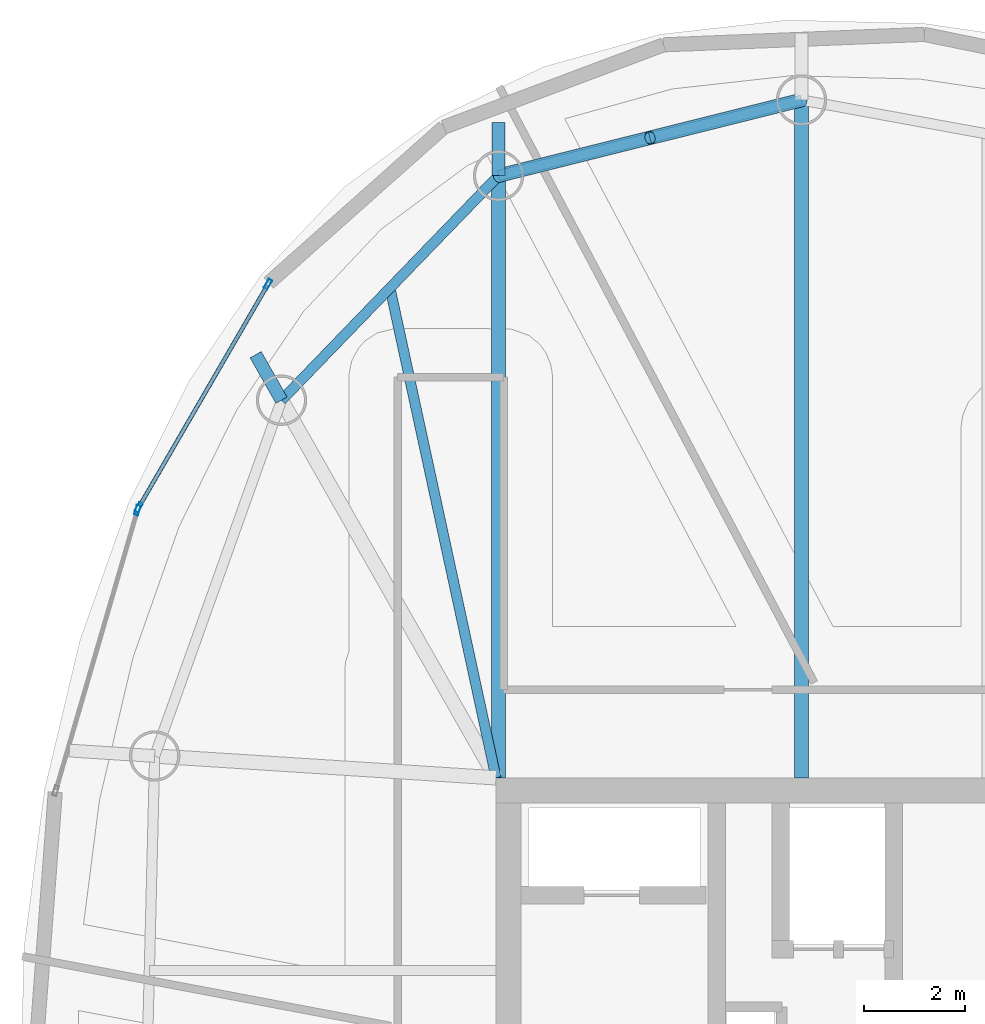
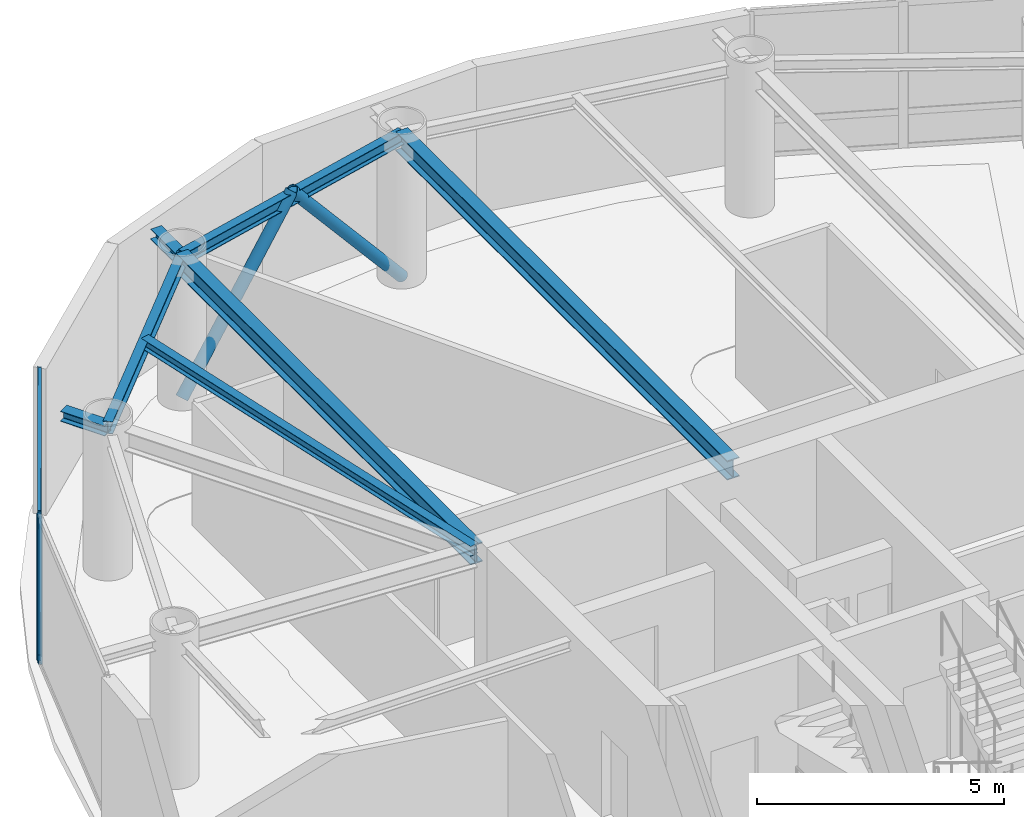
# One storey, part 10 of 20: 7 beams, 7 members, 2 elements without a shape of their own.
"""IFC4 building model written with IfcOpenShell, lengths in metres."""

from ifc_helpers import new_model, si_unit, direction, frame, origin, origin_2d, place, context, subcontext, project, spatial, hollow_rectangle, hollow_circle, i_section, extrude, material, layer, layer_set, material_profile, profile_set, type_object, element, aggregate, save


model = new_model("IFC4")

# Units and contexts
model_context = context("Model", 3, precision=1e-05, world=origin(), true_north=direction((0.0, 1.0)))
body_context = subcontext(model_context, "Body", "Model", "MODEL_VIEW")
ifc_project = project(units=[si_unit("LENGTHUNIT", "METRE"), si_unit("AREAUNIT", "SQUARE_METRE"), si_unit("VOLUMEUNIT", "CUBIC_METRE"), si_unit("PLANEANGLEUNIT", "RADIAN"), si_unit("MASSUNIT", "GRAM", prefix="KILO")], contexts=[model_context])

# Site, building, storey
site_placement = place(None, origin())
site = spatial("IfcSite", under=ifc_project, at=site_placement, CompositionType="ELEMENT")
building_placement = place(site_placement, origin())
building = spatial("IfcBuilding", under=site, at=building_placement, Name="Bramvorn Convention Spire", CompositionType="ELEMENT")
storey_placement = place(building_placement, frame((0.0, 0.0, 269.0)))
storey = spatial("IfcBuildingStorey", under=building, at=storey_placement, Name="L68", CompositionType="ELEMENT", Elevation=269.0)

# Beams
ifc_material_1 = material(Name="Steel CSA G40.21 Grade 350 (350W)", Category="steel")
ifc_material_profile_1 = material_profile(ifc_material_1, i_section(OverallWidth=0.201904296875, OverallDepth=0.2470703125, WebThickness=0.00732421875, FlangeThickness=0.010986328125, FilletRadius=0.011962890625, at=origin_2d()))
ifc_profile_set_1 = profile_set([ifc_material_profile_1], Name="Steel CSA G40.21 Grade 350 (350W) - W250X49")
beam_type_1 = type_object("IfcBeamType", Name="BM-W250X49", PredefinedType="JOIST", material=ifc_profile_set_1)
beam_1_placement = place(storey_placement, frame((26.75, 33.449951171875, 3.50146484375), z_axis=(-0.211461445939, 0.977386339623, 0.0), x_axis=(-0.977386339623, -0.211461445939, 0.0)))
element("IfcBeam", 1, at=beam_1_placement, inside=storey, type_object=beam_type_1, Name="L68 composite floor joist 09", PredefinedType="JOIST", context=body_context, shape_type="SweptSolid", body=[
    extrude(i_section(OverallWidth=0.201904296875, OverallDepth=0.2470703125, WebThickness=0.00732421875, FlangeThickness=0.010986328125, FilletRadius=0.011962890625, at=origin_2d()), origin(), (0.0, 0.0, 1.0), 9.9462890625),
])
ifc_material_profile_2 = material_profile(ifc_material_1, i_section(OverallWidth=0.25390625, OverallDepth=0.2529296875, WebThickness=0.008544921875, FlangeThickness=0.01416015625, FilletRadius=0.011962890625, at=origin_2d()))
ifc_profile_set_2 = profile_set([ifc_material_profile_2], Name="Steel CSA G40.21 Grade 350 (350W) - W250X73")
beam_type_2 = type_object("IfcBeamType", Name="BM-W250X73", PredefinedType="BEAM", material=ifc_profile_set_2)
beam_2_placement = place(storey_placement, frame((26.800048828125, 45.39892578125, 3.45849609375), z_axis=(0.0, 1.0, 0.0), x_axis=(-1.0, 0.0, 0.0)))
element("IfcBeam", 2, at=beam_2_placement, inside=storey, type_object=beam_type_2, Name="L68 slab-edge cantilever tip beam MC09", PredefinedType="BEAM", context=body_context, shape_type="SweptSolid", body=[
    extrude(i_section(OverallWidth=0.25390625, OverallDepth=0.2529296875, WebThickness=0.008544921875, FlangeThickness=0.01416015625, FilletRadius=0.011962890625, at=origin_2d()), origin(), (0.0, 0.0, 1.0), 1.051513671875),
])
beam_3_placement = place(storey_placement, frame((22.49365234375, 40.94384765625, 3.45849609375), z_axis=(-0.493860046615, 0.869541404625, 0.0), x_axis=(-0.869541404625, -0.493860046615, 0.0)))
element("IfcBeam", 3, at=beam_3_placement, inside=storey, type_object=beam_type_2, Name="L68 slab-edge cantilever tip beam MC10", PredefinedType="BEAM", context=body_context, shape_type="SweptSolid", body=[
    extrude(i_section(OverallWidth=0.25390625, OverallDepth=0.2529296875, WebThickness=0.008544921875, FlangeThickness=0.01416015625, FilletRadius=0.011962890625, at=origin_2d()), origin(), (0.0, 0.0, 1.0), 1.0390625),
])
ifc_material_profile_3 = material_profile(ifc_material_1, i_section(OverallWidth=0.202880859375, OverallDepth=0.302978515625, WebThickness=0.007568359375, FlangeThickness=0.01318359375, FilletRadius=0.013916015625, at=origin_2d()))
ifc_profile_set_3 = profile_set([ifc_material_profile_3], Name="Steel CSA G40.21 Grade 350 (350W) - W310X60")
beam_type_3 = type_object("IfcBeamType", Name="BM-W310X60", PredefinedType="JOIST", material=ifc_profile_set_3)
for number, where, z_axis, x_axis, name in (
    (4, (32.8115234375, 46.90087890625, 3.473388671875), (-0.970177255997, -0.24239655927, 0.0), (0.24239655927, -0.970177255997, 0.0), "L68 mega-column ring beam 08"),
    (5, (26.800048828125, 45.39892578125, 3.473388671875), (-0.695007159797, -0.719002814898, 0.0), (0.719002814898, -0.695007159797, 0.0), "L68 mega-column ring beam 09"),
):
    element("IfcBeam", number, at=place(storey_placement, frame(where, z_axis=z_axis, x_axis=x_axis)), inside=storey, type_object=beam_type_3, Name=name, PredefinedType="JOIST", context=body_context, shape_type="SweptSolid", body=[
        extrude(i_section(OverallWidth=0.202880859375, OverallDepth=0.302978515625, WebThickness=0.007568359375, FlangeThickness=0.01318359375, FilletRadius=0.013916015625, at=origin_2d()), origin(), (0.0, 0.0, 1.0), 6.1962890625),
    ])
ifc_material_profile_4 = material_profile(ifc_material_1, i_section(OverallWidth=0.283935546875, OverallDepth=0.47607421875, WebThickness=0.014892578125, FlangeThickness=0.02392578125, FilletRadius=0.01806640625, at=origin_2d()))
ifc_profile_set_4 = profile_set([ifc_material_profile_4], Name="Steel CSA G40.21 Grade 350 (350W) - W460X158")
beam_type_4 = type_object("IfcBeamType", Name="BM-W460X158", PredefinedType="SPANDREL", material=ifc_profile_set_4)
beam_4_placement = place(storey_placement, frame((32.8115234375, 33.449951171875, 3.386962890625), z_axis=(0.0, 1.0, 0.0), x_axis=(-1.0, 0.0, 0.0)))
element("IfcBeam", 6, at=beam_4_placement, inside=storey, type_object=beam_type_4, Name="L68 radial floor girder MC08", PredefinedType="SPANDREL", context=body_context, shape_type="SweptSolid", body=[
    extrude(i_section(OverallWidth=0.283935546875, OverallDepth=0.47607421875, WebThickness=0.014892578125, FlangeThickness=0.02392578125, FilletRadius=0.01806640625, at=origin_2d()), origin(), (0.0, 0.0, 1.0), 13.450927734375),
])
beam_5_placement = place(storey_placement, frame((26.800048828125, 33.449951171875, 3.386962890625), z_axis=(0.0, 1.0, 0.0), x_axis=(-1.0, 0.0, 0.0)))
element("IfcBeam", 7, at=beam_5_placement, inside=storey, type_object=beam_type_4, Name="L68 radial floor girder MC09", PredefinedType="SPANDREL", context=body_context, shape_type="SweptSolid", body=[
    extrude(i_section(OverallWidth=0.283935546875, OverallDepth=0.47607421875, WebThickness=0.014892578125, FlangeThickness=0.02392578125, FilletRadius=0.01806640625, at=origin_2d()), origin(), (0.0, 0.0, 1.0), 11.948974609375),
])

# Curtain wall, members
ifc_material_2 = material(Name="Anodised Bronze Unitised Curtain Wall", Category="aluminium")
ifc_layer = layer(ifc_material_2, 0.179931640625)
ifc_layer_set = layer_set([ifc_layer], Name="Anodised Bronze Unitised Curtain Wall - CW-OFF-FRIT")
curtain_wall_type = type_object("IfcCurtainWallType", Name="CW-OFF-FRIT", PredefinedType="USERDEFINED", material=ifc_layer_set)
curtain_wall_1_placement = place(storey_placement, origin())
curtain_wall_1 = element("IfcCurtainWall", 8, at=curtain_wall_1_placement, inside=storey, type_object=curtain_wall_type, Name="L68 fritted glass curtain wall 14", ObjectType="UNITISED CURTAIN WALL", PredefinedType="USERDEFINED")
ifc_material_3 = material(Name="Anodised Bronze Aluminium 6063-T6", Category="aluminium")
ifc_material_profile_5 = material_profile(ifc_material_3, hollow_rectangle(XDim=0.080078125, YDim=0.199951171875, WallThickness=0.00390625, InnerFilletRadius=0.0009765625, OuterFilletRadius=0.00390625, at=origin_2d()))
ifc_profile_set_5 = profile_set([ifc_material_profile_5], Name="Anodised Bronze Aluminium 6063-T6 - CWM80X200")
member_type_1 = type_object("IfcMemberType", Name="CW-MUL-180", PredefinedType="MULLION", material=ifc_profile_set_5)
member_1_placement = place(storey_placement, frame((19.65966796875, 38.81640625, 0.0), z_axis=(0.0, 0.0, 1.0), x_axis=(-0.86520191582, 0.501423618172, 0.0)))
member_1 = element("IfcMember", 9, at=member_1_placement, type_object=member_type_1, Name="CW3 mullion 1", PredefinedType="MULLION", context=body_context, shape_type="SweptSolid", body=[
    extrude(hollow_rectangle(XDim=0.080078125, YDim=0.199951171875, WallThickness=0.00390625, InnerFilletRadius=0.0009765625, OuterFilletRadius=0.00390625, at=origin_2d()), origin(), (0.0, 0.0, 1.0), 3.625),
])
member_2_placement = place(storey_placement, frame((22.2265625, 43.24560546875, 0.0), z_axis=(0.0, 0.0, 1.0), x_axis=(-0.86520191582, 0.501423618172, 0.0)))
member_2 = element("IfcMember", 10, at=member_2_placement, type_object=member_type_1, Name="CW3 mullion 2", PredefinedType="MULLION", context=body_context, shape_type="SweptSolid", body=[
    extrude(hollow_rectangle(XDim=0.080078125, YDim=0.199951171875, WallThickness=0.00390625, InnerFilletRadius=0.0009765625, OuterFilletRadius=0.00390625, at=origin_2d()), origin(), (0.0, 0.0, 1.0), 3.625),
])

# Curtain wall, member
curtain_wall_2_placement = place(storey_placement, origin())
curtain_wall_2 = element("IfcCurtainWall", 11, at=curtain_wall_2_placement, inside=storey, type_object=curtain_wall_type, Name="L68 fritted glass curtain wall 15", ObjectType="UNITISED CURTAIN WALL", PredefinedType="USERDEFINED")
member_3_placement = place(storey_placement, frame((19.63623046875, 38.76171875, 0.0), z_axis=(0.0, 0.0, 1.0), x_axis=(-0.96001968369, 0.279932504237, 0.0)))
member_3 = element("IfcMember", 12, at=member_3_placement, type_object=member_type_1, Name="CW3 mullion 2", PredefinedType="MULLION", context=body_context, shape_type="SweptSolid", body=[
    extrude(hollow_rectangle(XDim=0.080078125, YDim=0.199951171875, WallThickness=0.00390625, InnerFilletRadius=0.0009765625, OuterFilletRadius=0.00390625, at=origin_2d()), origin(), (0.0, 0.0, 1.0), 3.625),
])
aggregate(curtain_wall_2, [member_3])

# Member
ifc_material_profile_6 = material_profile(ifc_material_3, hollow_rectangle(XDim=0.080078125, YDim=0.159912109375, WallThickness=0.00390625, InnerFilletRadius=0.0009765625, OuterFilletRadius=0.00390625, at=origin_2d()))
ifc_profile_set_6 = profile_set([ifc_material_profile_6], Name="Anodised Bronze Aluminium 6063-T6 - CWT80X160")
member_type_2 = type_object("IfcMemberType", Name="CW-TRN-150", PredefinedType="USERDEFINED", material=ifc_profile_set_6)
member_4_placement = place(storey_placement, frame((19.6748046875, 38.842529296875, 0.030029296875), z_axis=(0.501399562303, 0.865215856837, 0.0), x_axis=(-0.865215856837, 0.501399562303, 0.0)))
member_4 = element("IfcMember", 13, at=member_4_placement, type_object=member_type_2, Name="CW3 transom 1.1", ObjectType="TRANSOM", PredefinedType="USERDEFINED", context=body_context, shape_type="SweptSolid", body=[
    extrude(hollow_rectangle(XDim=0.080078125, YDim=0.159912109375, WallThickness=0.00390625, InnerFilletRadius=0.0009765625, OuterFilletRadius=0.00390625, at=origin_2d()), origin(), (0.0, 0.0, 1.0), 5.05908203125),
])

member_5_placement = place(storey_placement, frame((19.6748046875, 38.842529296875, 3.594970703125), z_axis=(0.501399562303, 0.865215856837, 0.0), x_axis=(-0.865215856837, 0.501399562303, 0.0)))
member_5 = element("IfcMember", 14, at=member_5_placement, type_object=member_type_2, Name="CW3 transom 1.2", ObjectType="TRANSOM", PredefinedType="USERDEFINED", context=body_context, shape_type="SweptSolid", body=[
    extrude(hollow_rectangle(XDim=0.080078125, YDim=0.159912109375, WallThickness=0.00390625, InnerFilletRadius=0.0009765625, OuterFilletRadius=0.00390625, at=origin_2d()), origin(), (0.0, 0.0, 1.0), 5.05908203125),
])

aggregate(curtain_wall_1, [member_1, member_2, member_4, member_5])

# Members
ifc_material_profile_7 = material_profile(ifc_material_1, hollow_circle(Radius=0.136474609375, WallThickness=0.0126953125, at=origin_2d()))
ifc_profile_set_7 = profile_set([ifc_material_profile_7], Name="Steel CSA G40.21 Grade 350 (350W) - CHS273X13")
member_type_3 = type_object("IfcMemberType", Name="MBR-CHS273X13", PredefinedType="BRACE", material=ifc_profile_set_7)
for number, where, z_axis, x_axis, name in (
    (15, (32.8115234375, 46.90087890625, 0.0), (-0.630340941886, -0.157482840906, 0.760177250253), (0.242387293712, -0.970179570929, 0.0), "L68 perimeter Gothic lancet brace 8A"),
    (16, (26.800048828125, 45.39892578125, 0.0), (0.630310085311, 0.157487923192, 0.76020178269), (-0.242405825514, 0.9701749408, 0.0), "L68 perimeter Gothic lancet brace 8B"),
):
    element("IfcMember", number, at=place(storey_placement, frame(where, z_axis=z_axis, x_axis=x_axis)), inside=storey, type_object=member_type_3, Name=name, PredefinedType="BRACE", context=body_context, shape_type="SweptSolid", body=[
        extrude(hollow_circle(Radius=0.136474609375, WallThickness=0.0126953125, at=origin_2d()), origin(), (0.0, 0.0, 1.0), 4.7685546875),
    ])

save(model, "model.ifc")
